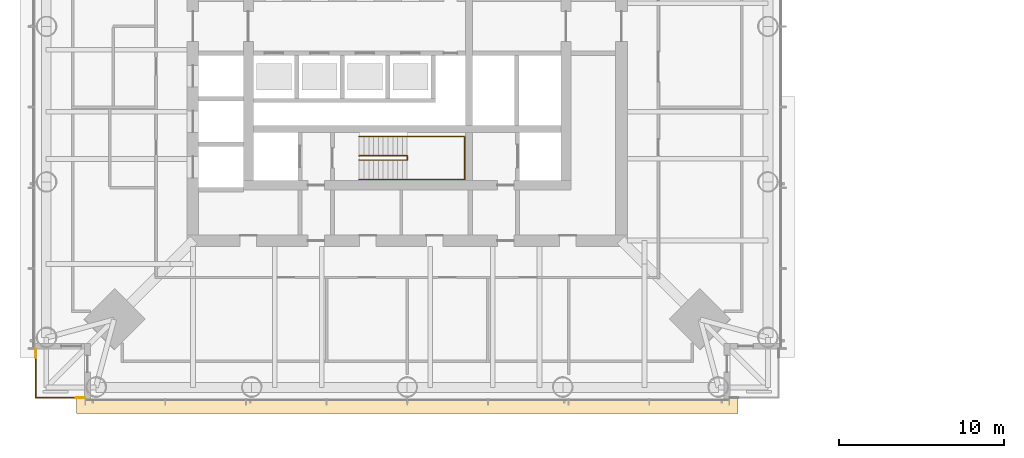
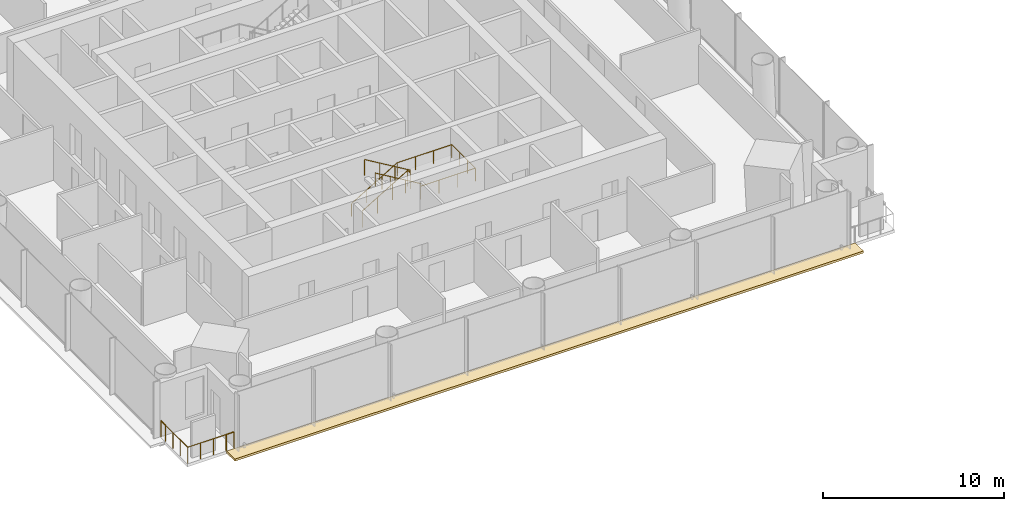
# One storey, part 22 of 27: 5 railings, 1 covering.
"""IFC4 building model written with IfcOpenShell, lengths in metres."""

from ifc_helpers import new_model, si_unit, direction, frame, origin, origin_2d, place, context, subcontext, project, spatial, polyline, circle, outline, extrude, material, layer, layer_set, type_object, element, save


model = new_model("IFC4")

# Units and contexts
model_context = context("Model", 3, precision=1e-05, world=origin(), true_north=direction((0.0, 1.0)))
body_context = subcontext(model_context, "Body", "Model", "MODEL_VIEW")
ifc_project = project(units=[si_unit("LENGTHUNIT", "METRE"), si_unit("AREAUNIT", "SQUARE_METRE"), si_unit("VOLUMEUNIT", "CUBIC_METRE"), si_unit("PLANEANGLEUNIT", "RADIAN"), si_unit("MASSUNIT", "GRAM", prefix="KILO")], contexts=[model_context])

# Site, building, storey
site_placement = place(None, origin())
site = spatial("IfcSite", under=ifc_project, at=site_placement, CompositionType="ELEMENT")
building_placement = place(site_placement, origin())
building = spatial("IfcBuilding", under=site, at=building_placement, Name="Ostroluk Exchange", CompositionType="ELEMENT")
storey_placement = place(building_placement, frame((0.0, 0.0, 89.39990234375)))
storey = spatial("IfcBuildingStorey", under=building, at=storey_placement, Name="L22", CompositionType="ELEMENT", Elevation=89.39990234375)

# Railings
ifc_material_1 = material(Name="Stainless steel", Category="steel")
railing_type_1 = type_object("IfcRailingType", Name="Guard 1100 stainless steel", PredefinedType="GUARDRAIL", material=ifc_material_1)
railing_1_placement = place(storey_placement, frame((25.0, 23.550048828125, 0.0)))
element("IfcRailing", 1, at=railing_1_placement, inside=storey, type_object=railing_type_1, Name="Office tower SW balcony guard L22", PredefinedType="GUARDRAIL", context=body_context, shape_type="SweptSolid", body=[
    extrude(circle(Radius=0.02392578125, at=origin_2d()), frame((0.0, 0.0, 1.076171875), z_axis=(-1.0, 0.0, 0.0), x_axis=(0.0, -1.0, 0.0)), (0.0, 0.0, 1.0), 2.449951171875),
    extrude(circle(Radius=0.02392578125, at=origin_2d()), frame((-2.449951171875, 0.0, 1.076171875), z_axis=(0.0, 1.0, 0.0), x_axis=(-1.0, 0.0, 0.0)), (0.0, 0.0, 1.0), 2.449951171875),
    extrude(circle(Radius=0.02099609375, at=origin_2d()), origin(), (0.0, 0.0, 1.0), 1.052001953125),
    extrude(circle(Radius=0.02099609375, at=origin_2d()), frame((-0.816650390625, 0.0, 0.0)), (0.0, 0.0, 1.0), 1.052001953125),
    extrude(circle(Radius=0.02099609375, at=origin_2d()), frame((-1.63330078125, 0.0, 0.0)), (0.0, 0.0, 1.0), 1.052001953125),
    extrude(circle(Radius=0.02099609375, at=origin_2d()), frame((-2.449951171875, 0.0, 0.0)), (0.0, 0.0, 1.0), 1.052001953125),
    extrude(circle(Radius=0.02099609375, at=origin_2d()), frame((-2.449951171875, 0.816650390625, 0.0)), (0.0, 0.0, 1.0), 1.052001953125),
    extrude(circle(Radius=0.02099609375, at=origin_2d()), frame((-2.449951171875, 1.63330078125, 0.0)), (0.0, 0.0, 1.0), 1.052001953125),
    extrude(circle(Radius=0.02099609375, at=origin_2d()), frame((-2.449951171875, 2.449951171875, 0.0)), (0.0, 0.0, 1.0), 1.052001953125),
])
ifc_material_2 = material(Name="Stainless steel", Category="steel")
railing_type_2 = type_object("IfcRailingType", Name="Lockable maintenance gate 1100", PredefinedType="GUARDRAIL", material=ifc_material_2)
railing_2_placement = place(storey_placement, frame((25.5, 23.550048828125, 0.0)))
element("IfcRailing", 2, at=railing_2_placement, inside=storey, type_object=railing_type_2, Name="Lockable maintenance gate T1 L22 SW", PredefinedType="GUARDRAIL", context=body_context, shape_type="SweptSolid", body=[
    extrude(circle(Radius=0.02392578125, at=origin_2d()), frame((0.0, 0.0, 1.076171875), z_axis=(-1.0, 0.0, 0.0), x_axis=(0.0, -1.0, 0.0)), (0.0, 0.0, 1.0), 0.5),
    extrude(circle(Radius=0.02099609375, at=origin_2d()), origin(), (0.0, 0.0, 1.0), 1.052001953125),
    extrude(circle(Radius=0.02099609375, at=origin_2d()), frame((-0.5, 0.0, 0.0)), (0.0, 0.0, 1.0), 1.052001953125),
])
railing_3_placement = place(storey_placement, frame((22.550048828125, 26.0, 0.0)))
element("IfcRailing", 3, at=railing_3_placement, inside=storey, type_object=railing_type_2, Name="Lockable maintenance gate T1 L22 SW", PredefinedType="GUARDRAIL", context=body_context, shape_type="SweptSolid", body=[
    extrude(circle(Radius=0.02392578125, at=origin_2d()), frame((0.0, 0.0, 1.076171875), z_axis=(0.0, 1.0, 0.0), x_axis=(-1.0, 0.0, 0.0)), (0.0, 0.0, 1.0), 0.5),
    extrude(circle(Radius=0.02099609375, at=origin_2d()), origin(), (0.0, 0.0, 1.0), 1.052001953125),
    extrude(circle(Radius=0.02099609375, at=origin_2d()), frame((0.0, 0.5, 0.0)), (0.0, 0.0, 1.0), 1.052001953125),
])

# Covering
ifc_material_3 = material(Name="Insulated steel roof deck with membrane, laid to falls, aluminium coping", Category="steel")
ifc_layer = layer(ifc_material_3, 0.14990234375)
ifc_layer_set = layer_set([ifc_layer], Name="Setback maintenance roof")
covering_type = type_object("IfcCoveringType", Name="Setback maintenance roof", PredefinedType="ROOFING", material=ifc_layer_set)
covering_placement = place(storey_placement, frame((0.0, 0.0, -0.14990234375)))
element("IfcCovering", 4, at=covering_placement, inside=storey, type_object=covering_type, Name="Maintenance roof, setback L22 south", PredefinedType="ROOFING", context=body_context, shape_type="SweptSolid", body=[
    extrude(outline(polyline([(25.0, 23.5), (65.0, 23.5), (65.0, 22.60009765625), (25.0, 22.60009765625), (25.0, 23.5)])), origin(), (0.0, 0.0, 1.0), 0.14990234375),
])

# Railings
ifc_material_4 = material(Name="Steel S355", Category="steel")
railing_type_3 = type_object("IfcRailingType", Name="Stair guard 1100", PredefinedType="GUARDRAIL", material=ifc_material_4)
railing_4_placement = place(storey_placement, frame((42.10009765625, 38.179931640625, 0.1728515625)))
element("IfcRailing", 5, at=railing_4_placement, inside=storey, type_object=railing_type_3, Name="Stair T1-S1 guard L22", PredefinedType="GUARDRAIL", context=body_context, shape_type="SweptSolid", body=[
    extrude(circle(Radius=0.02392578125, at=origin_2d()), frame((0.0, 0.0, 1.076171875), z_axis=(0.859141464434, 0.0, 0.511738159696), x_axis=(0.0, 1.0, 0.0)), (0.0, 0.0, 1.0), 3.375244140625),
    extrude(circle(Radius=0.02392578125, at=origin_2d()), frame((2.89990234375, 0.0, 2.80322265625), z_axis=(0.0, -1.0, 0.0), x_axis=(1.0, 0.0, 0.0)), (0.0, 0.0, 1.0), 0.260009765625),
    extrude(circle(Radius=0.02392578125, at=origin_2d()), frame((2.89990234375, -0.260009765625, 2.80322265625), z_axis=(0.0, 0.0, 1.0), x_axis=(1.0, 0.0, 0.0)), (0.0, 0.0, 1.0), 0.172607421875),
    extrude(circle(Radius=0.02392578125, at=origin_2d()), frame((2.89990234375, -0.260009765625, 2.97607421875), z_axis=(-0.859141464434, 0.0, 0.511738159696), x_axis=(0.0, -1.0, 0.0)), (0.0, 0.0, 1.0), 3.375244140625),
    extrude(circle(Radius=0.02099609375, at=origin_2d()), origin(), (0.0, 0.0, 1.0), 1.052001953125),
    extrude(circle(Radius=0.02099609375, at=origin_2d()), frame((0.966552734375, 0.0, 0.57568359375)), (0.0, 0.0, 1.0), 1.052001953125),
    extrude(circle(Radius=0.02099609375, at=origin_2d()), frame((1.933349609375, 0.0, 1.151611328125)), (0.0, 0.0, 1.0), 1.052001953125),
    extrude(circle(Radius=0.02099609375, at=origin_2d()), frame((2.89990234375, 0.0, 1.727294921875)), (0.0, 0.0, 1.0), 1.052001953125),
    extrude(circle(Radius=0.02099609375, at=origin_2d()), frame((2.89990234375, -0.260009765625, 1.727294921875)), (0.0, 0.0, 1.0), 1.052001953125),
    extrude(circle(Radius=0.02099609375, at=origin_2d()), frame((2.89990234375, -0.260009765625, 1.89990234375)), (0.0, 0.0, 1.0), 1.052001953125),
    extrude(circle(Radius=0.02099609375, at=origin_2d()), frame((1.933349609375, -0.260009765625, 2.4755859375)), (0.0, 0.0, 1.0), 1.052001953125),
    extrude(circle(Radius=0.02099609375, at=origin_2d()), frame((0.966552734375, -0.260009765625, 3.051513671875)), (0.0, 0.0, 1.0), 1.052001953125),
    extrude(circle(Radius=0.02099609375, at=origin_2d()), frame((0.0, -0.260009765625, 3.627197265625)), (0.0, 0.0, 1.0), 1.052001953125),
])
ifc_material_5 = material(Name="Stainless steel", Category="steel")
railing_type_4 = type_object("IfcRailingType", Name="Stair handrail 900", PredefinedType="HANDRAIL", material=ifc_material_5)
railing_5_placement = place(storey_placement, frame((42.10009765625, 39.35009765625, 0.1728515625)))
element("IfcRailing", 6, at=railing_5_placement, inside=storey, type_object=railing_type_4, Name="Stair T1-S1 handrail L22", PredefinedType="HANDRAIL", context=body_context, shape_type="SweptSolid", body=[
    extrude(circle(Radius=0.02392578125, at=origin_2d()), frame((0.0, 0.0, 0.8759765625), z_axis=(0.859141464434, 0.0, 0.511738159696), x_axis=(0.0, 1.0, 0.0)), (0.0, 0.0, 1.0), 3.375244140625),
    extrude(circle(Radius=0.02392578125, at=origin_2d()), frame((2.89990234375, 0.0, 2.60302734375), z_axis=(1.0, 0.0, 0.0), x_axis=(0.0, 1.0, 0.0)), (0.0, 0.0, 1.0), 3.47998046875),
    extrude(circle(Radius=0.02392578125, at=origin_2d()), frame((6.3798828125, 0.0, 2.60302734375), z_axis=(0.0, -1.0, 0.0), x_axis=(1.0, 0.0, 0.0)), (0.0, 0.0, 1.0), 2.60009765625),
    extrude(circle(Radius=0.02392578125, at=origin_2d()), frame((6.3798828125, -2.60009765625, 2.60302734375), z_axis=(-1.0, 0.0, 0.0), x_axis=(0.0, -1.0, 0.0)), (0.0, 0.0, 1.0), 3.47998046875),
    extrude(circle(Radius=0.02392578125, at=origin_2d()), frame((2.89990234375, -2.60009765625, 2.60302734375), z_axis=(0.0, 0.0, 1.0), x_axis=(1.0, 0.0, 0.0)), (0.0, 0.0, 1.0), 0.172607421875),
    extrude(circle(Radius=0.02392578125, at=origin_2d()), frame((2.89990234375, -2.60009765625, 2.77587890625), z_axis=(-0.859141464434, 0.0, 0.511738159696), x_axis=(0.0, -1.0, 0.0)), (0.0, 0.0, 1.0), 3.375244140625),
    extrude(circle(Radius=0.02099609375, at=origin_2d()), origin(), (0.0, 0.0, 1.0), 0.851806640625),
    extrude(circle(Radius=0.02099609375, at=origin_2d()), frame((0.966552734375, 0.0, 0.57568359375)), (0.0, 0.0, 1.0), 0.851806640625),
    extrude(circle(Radius=0.02099609375, at=origin_2d()), frame((1.933349609375, 0.0, 1.151611328125)), (0.0, 0.0, 1.0), 0.851806640625),
    extrude(circle(Radius=0.02099609375, at=origin_2d()), frame((2.89990234375, 0.0, 1.727294921875)), (0.0, 0.0, 1.0), 0.851806640625),
    extrude(circle(Radius=0.02099609375, at=origin_2d()), frame((4.059814453125, 0.0, 1.727294921875)), (0.0, 0.0, 1.0), 0.851806640625),
    extrude(circle(Radius=0.02099609375, at=origin_2d()), frame((5.219970703125, 0.0, 1.727294921875)), (0.0, 0.0, 1.0), 0.851806640625),
    extrude(circle(Radius=0.02099609375, at=origin_2d()), frame((6.3798828125, 0.0, 1.727294921875)), (0.0, 0.0, 1.0), 0.851806640625),
    extrude(circle(Radius=0.02099609375, at=origin_2d()), frame((6.3798828125, -0.86669921875, 1.727294921875)), (0.0, 0.0, 1.0), 0.851806640625),
    extrude(circle(Radius=0.02099609375, at=origin_2d()), frame((6.3798828125, -1.7333984375, 1.727294921875)), (0.0, 0.0, 1.0), 0.851806640625),
    extrude(circle(Radius=0.02099609375, at=origin_2d()), frame((6.3798828125, -2.60009765625, 1.727294921875)), (0.0, 0.0, 1.0), 0.851806640625),
    extrude(circle(Radius=0.02099609375, at=origin_2d()), frame((5.219970703125, -2.60009765625, 1.727294921875)), (0.0, 0.0, 1.0), 0.851806640625),
    extrude(circle(Radius=0.02099609375, at=origin_2d()), frame((4.059814453125, -2.60009765625, 1.727294921875)), (0.0, 0.0, 1.0), 0.851806640625),
    extrude(circle(Radius=0.02099609375, at=origin_2d()), frame((2.89990234375, -2.60009765625, 1.727294921875)), (0.0, 0.0, 1.0), 0.851806640625),
    extrude(circle(Radius=0.02099609375, at=origin_2d()), frame((2.89990234375, -2.60009765625, 1.89990234375)), (0.0, 0.0, 1.0), 0.851806640625),
    extrude(circle(Radius=0.02099609375, at=origin_2d()), frame((1.933349609375, -2.60009765625, 2.4755859375)), (0.0, 0.0, 1.0), 0.851806640625),
    extrude(circle(Radius=0.02099609375, at=origin_2d()), frame((0.966552734375, -2.60009765625, 3.051513671875)), (0.0, 0.0, 1.0), 0.851806640625),
    extrude(circle(Radius=0.02099609375, at=origin_2d()), frame((0.0, -2.60009765625, 3.627197265625)), (0.0, 0.0, 1.0), 0.851806640625),
])

save(model, "model.ifc")
